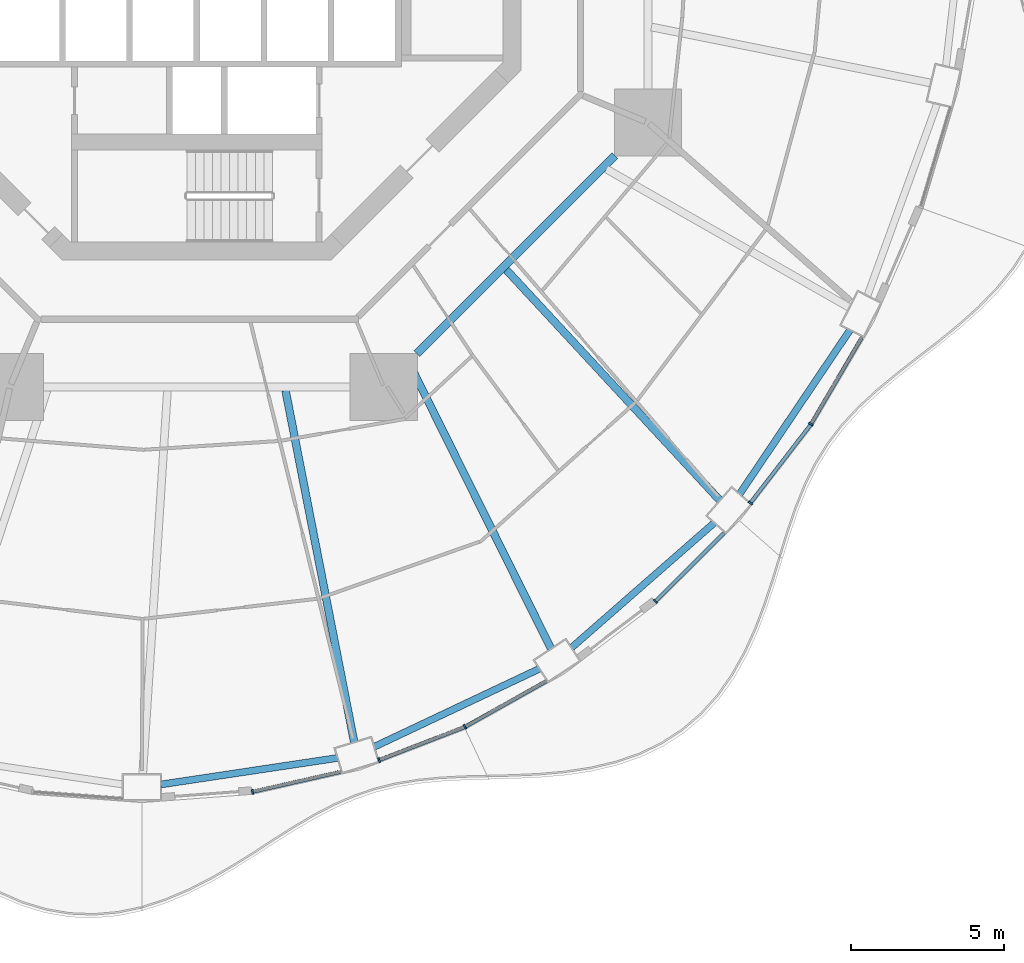
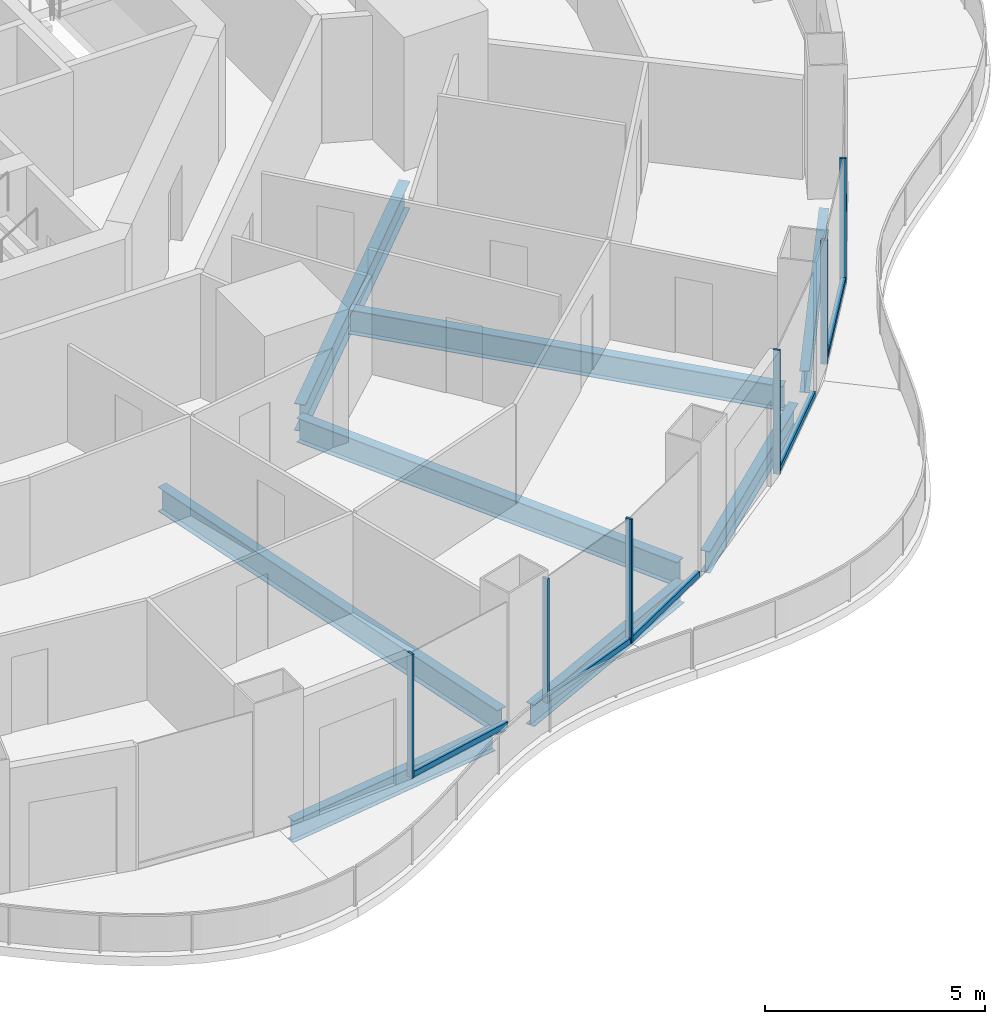
# One storey, part 5 of 22: 12 members, 8 beams, 6 elements without a shape of their own.
"""IFC4 building model written with IfcOpenShell, lengths in metres."""

import ifcopenshell
import ifcopenshell.guid

model = None  # the IFC model being written
_history = None  # IfcOwnerHistory: only IFC2X3 demands one
_inside = {}  # id of a spatial element -> (the spatial element, [elements in it])
_under = {}  # id of a project, library or spatial element -> (it, [spatial elements below it])
_declared = {}  # id of a project -> (the project, [libraries it declares])
_typed = {}  # id of a type object -> (the type object, [elements of that type])
_made_of = {}  # id of a material, layer set ... -> (it, [elements and type objects made of it])


def new_model(schema):
    """Start an empty IFC model of exactly this schema.

    Asked for "IFC4X3", IfcOpenShell would pick the latest addendum, in which some entities
    have other attributes; the version numbers below select the first issue.
    IFC2X3 requires an IfcOwnerHistory on every rooted entity: one is made here for all.
    """
    global model, _history
    if schema == "IFC4X3":
        model = ifcopenshell.file(schema_version=(4, 3, 0, 0))
    else:
        model = ifcopenshell.file(schema=schema)
    _inside.clear()
    _under.clear()
    _declared.clear()
    _typed.clear()
    _made_of.clear()
    _history = None
    if model.schema == "IFC2X3":
        org = make("IfcOrganization", Name="unknown")
        user = make(
            "IfcPersonAndOrganization",
            ThePerson=make("IfcPerson", FamilyName="unknown"),
            TheOrganization=org,
        )
        app = make(
            "IfcApplication",
            ApplicationDeveloper=org,
            Version="unknown",
            ApplicationFullName="unknown",
            ApplicationIdentifier="unknown",
        )
        _history = make(
            "IfcOwnerHistory",
            OwningUser=user,
            OwningApplication=app,
            ChangeAction="ADDED",
            CreationDate=0,
        )
    return model


def make(cls, **values):
    """One entity of the class cls with the attributes given. An attribute that is None is left unset."""
    return model.create_entity(
        cls, **{name: value for name, value in values.items() if value is not None}
    )


def rooted(cls, **values):
    """An entity with a GlobalId (a new one), such as an element, a storey or a relation."""
    return make(cls, GlobalId=ifcopenshell.guid.new(), OwnerHistory=_history, **values)


def si_unit(unit_type, name, prefix=None):
    """IfcSIUnit, for example si_unit("LENGTHUNIT", "METRE", prefix="MILLI")."""
    return make("IfcSIUnit", UnitType=unit_type, Prefix=prefix, Name=name)


def assignment(units):
    """IfcUnitAssignment: the units of a project."""
    return None if units is None else make("IfcUnitAssignment", Units=units)


def point(xyz):
    """IfcCartesianPoint."""
    return None if xyz is None else make("IfcCartesianPoint", Coordinates=xyz)


def direction(xyz):
    """IfcDirection."""
    return None if xyz is None else make("IfcDirection", DirectionRatios=xyz)


def frame(location, z_axis=None, x_axis=None):
    """IfcAxis2Placement3D, a coordinate frame: its origin and axes. An axis left out is left unset."""
    return make(
        "IfcAxis2Placement3D",
        Location=point(location),
        Axis=direction(z_axis),
        RefDirection=direction(x_axis),
    )


def frame_2d(location, x_axis=None):
    """IfcAxis2Placement2D, a coordinate frame in the plane: its origin and x axis."""
    return make(
        "IfcAxis2Placement2D", Location=point(location), RefDirection=direction(x_axis)
    )


def origin():
    """The frame at (0, 0, 0) with its axes left unset."""
    return frame((0.0, 0.0, 0.0))


def origin_2d():
    """The frame at (0, 0) in the plane with its x axis left unset."""
    return frame_2d((0.0, 0.0))


def place(relative_to, where):
    """IfcLocalPlacement: puts the frame where relative to a parent placement (None: the world)."""
    return make(
        "IfcLocalPlacement", PlacementRelTo=relative_to, RelativePlacement=where
    )


def context(
    kind, dimensions, precision=None, world=None, true_north=None, identifier=None
):
    """IfcGeometricRepresentationContext, for example the 3D "Model" context."""
    return make(
        "IfcGeometricRepresentationContext",
        ContextIdentifier=identifier,
        ContextType=kind,
        CoordinateSpaceDimension=dimensions,
        Precision=precision,
        WorldCoordinateSystem=world,
        TrueNorth=true_north,
    )


def subcontext(parent, identifier, kind, view, scale=None):
    """IfcGeometricRepresentationSubContext, for example "Body" below "Model"."""
    return make(
        "IfcGeometricRepresentationSubContext",
        ContextIdentifier=identifier,
        ContextType=kind,
        ParentContext=parent,
        TargetScale=scale,
        TargetView=view,
    )


def project(units=None, contexts=None):
    """IfcProject with its units and contexts."""
    return rooted(
        "IfcProject",
        Name="project",
        RepresentationContexts=contexts,
        UnitsInContext=assignment(units),
    )


def spatial(cls, under=None, at=None, **own):
    """A site, building, storey or space (cls), placed at a placement, below another one or the project."""
    s = rooted(cls, ObjectPlacement=at, **own)
    if under is not None:
        _under.setdefault(under.id(), (under, []))[1].append(s)
    return s


def profile(cls, at=None, kind="AREA", **sizes):
    """A parametric profile (cls). Its sizes go by their IFC names, for example OverallWidth=200.0."""
    return make(cls, ProfileType=kind, Position=at, **sizes)


def rectangle(**sizes):
    """IfcRectangleProfileDef."""
    return profile("IfcRectangleProfileDef", **sizes)


def i_section(**sizes):
    """IfcIShapeProfileDef."""
    return profile("IfcIShapeProfileDef", **sizes)


def extrude(swept, where, along, depth):
    """IfcExtrudedAreaSolid: the profile swept, set in the frame where, extruded along a direction by depth."""
    return make(
        "IfcExtrudedAreaSolid",
        SweptArea=swept,
        Position=where,
        ExtrudedDirection=direction(along),
        Depth=depth,
    )


def shape(context_of_items, identifier, shape_type, items):
    """IfcShapeRepresentation: the items that make up one representation, for example the "Body"."""
    return make(
        "IfcShapeRepresentation",
        ContextOfItems=context_of_items,
        RepresentationIdentifier=identifier,
        RepresentationType=shape_type,
        Items=items,
    )


def material(Name=None, Category=None):
    """IfcMaterial."""
    return make("IfcMaterial", Name=Name, Category=Category)


def layer(
    of_material, thickness, ventilated=None, Name=None, Category=None, Priority=None
):
    """IfcMaterialLayer: one layer of a wall or slab, of a material (None: an air gap)."""
    return make(
        "IfcMaterialLayer",
        Material=of_material,
        LayerThickness=thickness,
        IsVentilated=ventilated,
        Name=Name,
        Category=Category,
        Priority=Priority,
    )


def layer_set(layers, Name=None):
    """IfcMaterialLayerSet."""
    return make("IfcMaterialLayerSet", MaterialLayers=layers, LayerSetName=Name)


def material_profile(
    of_material, cross_section, Name=None, Category=None, Priority=None
):
    """IfcMaterialProfile: a cross section and its material."""
    return make(
        "IfcMaterialProfile",
        Name=Name,
        Material=of_material,
        Profile=cross_section,
        Priority=Priority,
        Category=Category,
    )


def profile_set(profiles, Name=None, composite=None):
    """IfcMaterialProfileSet."""
    return make(
        "IfcMaterialProfileSet",
        Name=Name,
        MaterialProfiles=profiles,
        CompositeProfile=composite,
    )


def made_of(thing, what):
    """Note that an element or type object is made of a material, layer set ...; save() writes the relation."""
    if what is not None:
        _made_of.setdefault(what.id(), (what, []))[1].append(thing)
    return thing


def type_object(cls, material=None, **own):
    """A type object (cls), such as IfcWallType, which elements share."""
    return made_of(rooted(cls, **own), material)


def element(
    cls,
    number,
    at=None,
    inside=None,
    cuts=None,
    type_object=None,
    material=None,
    context=None,
    identifier="Body",
    shape_type=None,
    held_by="IfcProductDefinitionShape",
    body=None,
    shapes=None,
    **own,
):
    """One element of the class cls, such as IfcWall. Its Tag is "e" and its number.

    at: its placement. inside: the storey or other place that contains it. cuts: it is an
    opening in that element (IfcRelVoidsElement). A single representation is given by context,
    identifier, shape_type and body (its items); several are given by shapes. held_by: the class
    of the entity that holds the representations. save() writes the other relations.
    """
    e = rooted(cls, Tag="e%d" % number, ObjectPlacement=at, **own)
    if body is not None:
        shapes = [shape(context, identifier, shape_type, body)]
    if shapes is not None:
        e.Representation = make(held_by, Representations=shapes)
    if inside is not None:
        _inside.setdefault(inside.id(), (inside, []))[1].append(e)
    if cuts is not None:
        rooted(
            "IfcRelVoidsElement", RelatingBuildingElement=cuts, RelatedOpeningElement=e
        )
    if type_object is not None:
        _typed.setdefault(type_object.id(), (type_object, []))[1].append(e)
    return made_of(e, material)


def aggregate(whole, parts):
    """IfcRelAggregates: a whole, such as a stair, and the parts it consists of."""
    return rooted("IfcRelAggregates", RelatingObject=whole, RelatedObjects=parts)


def save(model, path):
    """Write the relations noted so far, then the file.

    IfcRelAggregates (storeys below a building ...), IfcRelContainedInSpatialStructure (elements
    in a storey), IfcRelDefinesByType, IfcRelAssociatesMaterial and IfcRelDeclares: one each for
    every whole, place, type object, material and project.
    """
    for whole, parts in _under.values():
        aggregate(whole, parts)
    for where, things in _inside.values():
        rooted(
            "IfcRelContainedInSpatialStructure",
            RelatedElements=things,
            RelatingStructure=where,
        )
    for kind, things in _typed.values():
        rooted("IfcRelDefinesByType", RelatedObjects=things, RelatingType=kind)
    for what, things in _made_of.values():
        rooted("IfcRelAssociatesMaterial", RelatedObjects=things, RelatingMaterial=what)
    for by, libraries in _declared.values():
        rooted("IfcRelDeclares", RelatingContext=by, RelatedDefinitions=libraries)
    model.write(path)


model = new_model("IFC4")

# Units and contexts
model_context = context("Model", 3, precision=1e-05, world=origin(), true_north=direction((0.0, 1.0)))
body_context = subcontext(model_context, "Body", "Model", "MODEL_VIEW")
ifc_project = project(units=[si_unit("LENGTHUNIT", "METRE"), si_unit("AREAUNIT", "SQUARE_METRE"), si_unit("VOLUMEUNIT", "CUBIC_METRE"), si_unit("PLANEANGLEUNIT", "RADIAN"), si_unit("MASSUNIT", "GRAM", prefix="KILO")], contexts=[model_context])

# Site, building, storey
site_placement = place(None, origin())
site = spatial("IfcSite", under=ifc_project, at=site_placement, CompositionType="ELEMENT")
building_placement = place(site_placement, origin())
building = spatial("IfcBuilding", under=site, at=building_placement, Name="Nagisa Residences", CompositionType="ELEMENT")
storey_placement = place(building_placement, frame((0.0, 0.0, 99.199951171875)))
storey = spatial("IfcBuildingStorey", under=building, at=storey_placement, Name="L24", CompositionType="ELEMENT", Elevation=99.199951171875)

# Curtain wall, member
ifc_material_1 = material(Name="Concrete-coloured aluminium curtain wall system", Category="concrete")
ifc_layer = layer(ifc_material_1, 0.159912109375)
ifc_layer_set = layer_set([ifc_layer], Name="CW1 CURTAIN WALL")
curtain_wall_type = type_object("IfcCurtainWallType", Name="CW1 CURTAIN WALL", PredefinedType="NOTDEFINED", material=ifc_layer_set)
curtain_wall_1_placement = place(storey_placement, origin())
curtain_wall_1 = element("IfcCurtainWall", 1, at=curtain_wall_1_placement, inside=storey, type_object=curtain_wall_type, Name="cw:CW1:L24:37", PredefinedType="NOTDEFINED")
ifc_material_2 = material(Name="Concrete-coloured aluminium", Category="concrete")
ifc_material_profile_1 = material_profile(ifc_material_2, rectangle(XDim=0.159912109375, YDim=0.06005859375, at=origin_2d()), Name="CW1 MULLION 160x60")
ifc_profile_set_1 = profile_set([ifc_material_profile_1], Name="Concrete-coloured aluminium")
member_type_1 = type_object("IfcMemberType", Name="CW1 MULLION 160x60", PredefinedType="MULLION", material=ifc_profile_set_1)
member_1_placement = place(storey_placement, frame((1.826416015625, -28.04296875, 0.0), z_axis=(0.0, 0.0, 1.0), x_axis=(-0.2207639201, 0.975327274089, 0.0)))
member_1 = element("IfcMember", 2, at=member_1_placement, type_object=member_type_1, Name="CW1 mullion", PredefinedType="MULLION", context=body_context, shape_type="SweptSolid", body=[
    extrude(rectangle(XDim=0.159912109375, YDim=0.06005859375, at=origin_2d()), origin(), (0.0, 0.0, 1.0), 3.43994140625),
])

curtain_wall_2_placement = place(storey_placement, origin())
curtain_wall_2 = element("IfcCurtainWall", 3, at=curtain_wall_2_placement, inside=storey, type_object=curtain_wall_type, Name="cw:CW1:L24:38", PredefinedType="NOTDEFINED")
member_2_placement = place(storey_placement, frame((5.973388671875, -27.00390625, 0.0), z_axis=(0.0, 0.0, 1.0), x_axis=(-0.360327770268, 0.932825759707, 0.0)))
member_2 = element("IfcMember", 4, at=member_2_placement, type_object=member_type_1, Name="CW1 mullion", PredefinedType="MULLION", context=body_context, shape_type="SweptSolid", body=[
    extrude(rectangle(XDim=0.159912109375, YDim=0.06005859375, at=origin_2d()), origin(), (0.0, 0.0, 1.0), 3.43994140625),
])

curtain_wall_3_placement = place(storey_placement, origin())
curtain_wall_3 = element("IfcCurtainWall", 5, at=curtain_wall_3_placement, inside=storey, type_object=curtain_wall_type, Name="cw:CW1:L24:39", PredefinedType="NOTDEFINED")
member_3_placement = place(storey_placement, frame((8.785400390625, -25.913818359375, 0.0), z_axis=(0.0, 0.0, 1.0), x_axis=(-0.489376918501, 0.872072377523, 0.0)))
member_3 = element("IfcMember", 6, at=member_3_placement, type_object=member_type_1, Name="CW1 mullion", PredefinedType="MULLION", context=body_context, shape_type="SweptSolid", body=[
    extrude(rectangle(XDim=0.159912109375, YDim=0.06005859375, at=origin_2d()), origin(), (0.0, 0.0, 1.0), 3.43994140625),
])

curtain_wall_4_placement = place(storey_placement, origin())
curtain_wall_4 = element("IfcCurtainWall", 7, at=curtain_wall_4_placement, inside=storey, type_object=curtain_wall_type, Name="cw:CW1:L24:41", PredefinedType="NOTDEFINED")
member_4_placement = place(storey_placement, frame((15.0244140625, -21.80712890625, 0.0), z_axis=(0.0, 0.0, 1.0), x_axis=(-0.706376885714, 0.707835924016, 0.0)))
member_4 = element("IfcMember", 8, at=member_4_placement, type_object=member_type_1, Name="CW1 mullion", PredefinedType="MULLION", context=body_context, shape_type="SweptSolid", body=[
    extrude(rectangle(XDim=0.159912109375, YDim=0.06005859375, at=origin_2d()), origin(), (0.0, 0.0, 1.0), 3.43994140625),
])

curtain_wall_5_placement = place(storey_placement, origin())
curtain_wall_5 = element("IfcCurtainWall", 9, at=curtain_wall_5_placement, inside=storey, type_object=curtain_wall_type, Name="cw:CW1:L24:42", PredefinedType="NOTDEFINED")
member_5_placement = place(storey_placement, frame((18.135009765625, -18.579345703125, 0.0), z_axis=(0.0, 0.0, 1.0), x_axis=(-0.792070340816, 0.610429828235, 0.0)))
member_5 = element("IfcMember", 10, at=member_5_placement, type_object=member_type_1, Name="CW1 mullion", PredefinedType="MULLION", context=body_context, shape_type="SweptSolid", body=[
    extrude(rectangle(XDim=0.159912109375, YDim=0.06005859375, at=origin_2d()), origin(), (0.0, 0.0, 1.0), 3.43994140625),
])

curtain_wall_6_placement = place(storey_placement, origin())
curtain_wall_6 = element("IfcCurtainWall", 11, at=curtain_wall_6_placement, inside=storey, type_object=curtain_wall_type, Name="cw:CW1:L24:43", PredefinedType="NOTDEFINED")
member_6_placement = place(storey_placement, frame((20.1181640625, -16.0009765625, 0.0), z_axis=(0.0, 0.0, 1.0), x_axis=(-0.862328898214, 0.506348567002, 0.0)))
member_6 = element("IfcMember", 12, at=member_6_placement, type_object=member_type_1, Name="CW1 mullion", PredefinedType="MULLION", context=body_context, shape_type="SweptSolid", body=[
    extrude(rectangle(XDim=0.159912109375, YDim=0.06005859375, at=origin_2d()), origin(), (0.0, 0.0, 1.0), 3.43994140625),
])

# Member
ifc_material_3 = material(Name="Concrete-coloured aluminium", Category="concrete")
ifc_material_profile_2 = material_profile(ifc_material_3, rectangle(XDim=0.1201171875, YDim=0.14990234375, at=origin_2d()), Name="CW1 TRANSOM 120x150")
ifc_profile_set_2 = profile_set([ifc_material_profile_2], Name="Concrete-coloured aluminium")
member_type_2 = type_object("IfcMemberType", Name="CW1 TRANSOM 120x150", PredefinedType="USERDEFINED", material=ifc_profile_set_2)
member_7_placement = place(storey_placement, frame((1.79736328125, -28.049560546875, 0.074951171875), z_axis=(0.975331196789, 0.220746589036, 0.0), x_axis=(-0.220746589036, 0.975331196789, 0.0)))
member_7 = element("IfcMember", 13, at=member_7_placement, type_object=member_type_2, Name="CW1 transom", ObjectType="TRANSOM", PredefinedType="USERDEFINED", context=body_context, shape_type="SweptSolid", body=[
    extrude(rectangle(XDim=0.1201171875, YDim=0.14990234375, at=origin_2d()), origin(), (0.0, 0.0, 1.0), 2.99267578125),
])

aggregate(curtain_wall_1, [member_1, member_7])

member_8_placement = place(storey_placement, frame((5.945556640625, -27.0146484375, 0.074951171875), z_axis=(0.932827091302, 0.360324322982, 0.0), x_axis=(-0.360324322982, 0.932827091302, 0.0)))
member_8 = element("IfcMember", 14, at=member_8_placement, type_object=member_type_2, Name="CW1 transom", ObjectType="TRANSOM", PredefinedType="USERDEFINED", context=body_context, shape_type="SweptSolid", body=[
    extrude(rectangle(XDim=0.1201171875, YDim=0.14990234375, at=origin_2d()), origin(), (0.0, 0.0, 1.0), 3.02734375),
])

aggregate(curtain_wall_2, [member_2, member_8])

member_9_placement = place(storey_placement, frame((8.75927734375, -25.9287109375, 0.074951171875), z_axis=(0.872037280335, 0.489439456631, 0.0), x_axis=(-0.489439456631, 0.872037280335, 0.0)))
member_9 = element("IfcMember", 15, at=member_9_placement, type_object=member_type_2, Name="CW1 transom", ObjectType="TRANSOM", PredefinedType="USERDEFINED", context=body_context, shape_type="SweptSolid", body=[
    extrude(rectangle(XDim=0.1201171875, YDim=0.14990234375, at=origin_2d()), origin(), (0.0, 0.0, 1.0), 3.07568359375),
])

aggregate(curtain_wall_3, [member_3, member_9])

member_10_placement = place(storey_placement, frame((15.003173828125, -21.828125, 0.074951171875), z_axis=(0.707831724839, 0.70638109354, 0.0), x_axis=(-0.70638109354, 0.707831724839, 0.0)))
member_10 = element("IfcMember", 16, at=member_10_placement, type_object=member_type_2, Name="CW1 transom", ObjectType="TRANSOM", PredefinedType="USERDEFINED", context=body_context, shape_type="SweptSolid", body=[
    extrude(rectangle(XDim=0.1201171875, YDim=0.14990234375, at=origin_2d()), origin(), (0.0, 0.0, 1.0), 3.19775390625),
])

aggregate(curtain_wall_4, [member_4, member_10])

member_11_placement = place(storey_placement, frame((18.11669921875, -18.60302734375, 0.074951171875), z_axis=(0.610458970322, 0.792047880847, 0.0), x_axis=(-0.792047880847, 0.610458970322, 0.0)))
member_11 = element("IfcMember", 17, at=member_11_placement, type_object=member_type_2, Name="CW1 transom", ObjectType="TRANSOM", PredefinedType="USERDEFINED", context=body_context, shape_type="SweptSolid", body=[
    extrude(rectangle(XDim=0.1201171875, YDim=0.14990234375, at=origin_2d()), origin(), (0.0, 0.0, 1.0), 3.262939453125),
])

aggregate(curtain_wall_5, [member_5, member_11])

member_12_placement = place(storey_placement, frame((20.10302734375, -16.02685546875, 0.074951171875), z_axis=(0.506329983076, 0.86233981019, 0.0), x_axis=(-0.86233981019, 0.506329983076, 0.0)))
member_12 = element("IfcMember", 18, at=member_12_placement, type_object=member_type_2, Name="CW1 transom", ObjectType="TRANSOM", PredefinedType="USERDEFINED", context=body_context, shape_type="SweptSolid", body=[
    extrude(rectangle(XDim=0.1201171875, YDim=0.14990234375, at=origin_2d()), origin(), (0.0, 0.0, 1.0), 3.32470703125),
])

aggregate(curtain_wall_6, [member_6, member_12])

# Beams
ifc_material_4 = material(Name="Steel ASTM A572 Gr 50", Category="steel")
ifc_material_profile_3 = material_profile(ifc_material_4, i_section(OverallWidth=0.264892578125, OverallDepth=0.7529296875, WebThickness=0.01318359375, FlangeThickness=0.01708984375, at=origin_2d()), Name="W760x147")
ifc_profile_set_3 = profile_set([ifc_material_profile_3], Name="Steel ASTM A572 Gr 50")
beam_type_1 = type_object("IfcBeamType", Name="Inner ring beam W760x147", PredefinedType="BEAM", material=ifc_profile_set_3)
beam_1_placement = place(storey_placement, frame((7.208740234375, -13.6962890625, -0.636474609375), z_axis=(0.707106781187, 0.707106781187, 0.0), x_axis=(-0.707106781187, 0.707106781187, 0.0)))
element("IfcBeam", 19, at=beam_1_placement, inside=storey, type_object=beam_type_1, Name="beam:L24:ib7", PredefinedType="BEAM", context=body_context, shape_type="SweptSolid", body=[
    extrude(i_section(OverallWidth=0.264892578125, OverallDepth=0.7529296875, WebThickness=0.01318359375, FlangeThickness=0.01708984375, at=origin_2d()), origin(), (0.0, 0.0, 1.0), 9.1748046875),
])
ifc_material_5 = material(Name="Steel ASTM A572 Gr 50", Category="steel")
ifc_material_profile_4 = material_profile(ifc_material_5, i_section(OverallWidth=0.22802734375, OverallDepth=0.60302734375, WebThickness=0.010498046875, FlangeThickness=0.014892578125, at=origin_2d()), Name="W610x101")
ifc_profile_set_4 = profile_set([ifc_material_profile_4], Name="Steel ASTM A572 Gr 50")
beam_type_2 = type_object("IfcBeamType", Name="Perimeter ring beam W610x101", PredefinedType="BEAM", material=ifc_profile_set_4)
beam_2_placement = place(storey_placement, frame((-1.169677734375, -27.802734375, -0.5615234375), z_axis=(0.988913048607, 0.148495731568, 0.0), x_axis=(-0.148495731568, 0.988913048607, 0.0)))
element("IfcBeam", 20, at=beam_2_placement, inside=storey, type_object=beam_type_2, Name="beam:L24:pb19", PredefinedType="BEAM", context=body_context, shape_type="SweptSolid", body=[
    extrude(i_section(OverallWidth=0.22802734375, OverallDepth=0.60302734375, WebThickness=0.010498046875, FlangeThickness=0.014892578125, at=origin_2d()), origin(), (0.0, 0.0, 1.0), 5.843017578125),
])
beam_3_placement = place(storey_placement, frame((5.814453125, -26.568359375, -0.5615234375), z_axis=(0.904196975776, 0.427115709144, 0.0), x_axis=(-0.427115709144, 0.904196975776, 0.0)))
element("IfcBeam", 21, at=beam_3_placement, inside=storey, type_object=beam_type_2, Name="beam:L24:pb20", PredefinedType="BEAM", context=body_context, shape_type="SweptSolid", body=[
    extrude(i_section(OverallWidth=0.22802734375, OverallDepth=0.60302734375, WebThickness=0.010498046875, FlangeThickness=0.014892578125, at=origin_2d()), origin(), (0.0, 0.0, 1.0), 5.980712890625),
])
beam_4_placement = place(storey_placement, frame((12.2763671875, -23.322998046875, -0.5615234375), z_axis=(0.752525569707, 0.658563031863, 0.0), x_axis=(-0.658563031863, 0.752525569707, 0.0)))
element("IfcBeam", 22, at=beam_4_placement, inside=storey, type_object=beam_type_2, Name="beam:L24:pb21", PredefinedType="BEAM", context=body_context, shape_type="SweptSolid", body=[
    extrude(i_section(OverallWidth=0.22802734375, OverallDepth=0.60302734375, WebThickness=0.010498046875, FlangeThickness=0.014892578125, at=origin_2d()), origin(), (0.0, 0.0, 1.0), 6.21240234375),
])
beam_5_placement = place(storey_placement, frame((17.784423828125, -18.2861328125, -0.5615234375), z_axis=(0.558229575935, 0.829686531499, 0.0), x_axis=(-0.829686531499, 0.558229575935, 0.0)))
element("IfcBeam", 23, at=beam_5_placement, inside=storey, type_object=beam_type_2, Name="beam:L24:pb22", PredefinedType="BEAM", context=body_context, shape_type="SweptSolid", body=[
    extrude(i_section(OverallWidth=0.22802734375, OverallDepth=0.60302734375, WebThickness=0.010498046875, FlangeThickness=0.014892578125, at=origin_2d()), origin(), (0.0, 0.0, 1.0), 6.471923828125),
])
ifc_material_6 = material(Name="Steel ASTM A572 Gr 50", Category="steel")
ifc_material_profile_5 = material_profile(ifc_material_6, i_section(OverallWidth=0.2529296875, OverallDepth=0.677978515625, WebThickness=0.01171875, FlangeThickness=0.016357421875, at=origin_2d()), Name="W690x125")
ifc_profile_set_5 = profile_set([ifc_material_profile_5], Name="Steel ASTM A572 Gr 50")
beam_type_3 = type_object("IfcBeamType", Name="Radial beam W690x125", PredefinedType="BEAM", material=ifc_profile_set_5)
beam_6_placement = place(storey_placement, frame((5.15576171875, -26.416015625, -0.598876953125), z_axis=(-0.191554340045, 0.981482009417, 0.0), x_axis=(-0.981482009417, -0.191554340045, 0.0)))
element("IfcBeam", 24, at=beam_6_placement, inside=storey, type_object=beam_type_3, Name="beam:L24:rb20", PredefinedType="BEAM", context=body_context, shape_type="SweptSolid", body=[
    extrude(i_section(OverallWidth=0.2529296875, OverallDepth=0.677978515625, WebThickness=0.01171875, FlangeThickness=0.016357421875, at=origin_2d()), origin(), (0.0, 0.0, 1.0), 11.73828125),
])
beam_7_placement = place(storey_placement, frame((11.604736328125, -23.35400390625, -0.598876953125), z_axis=(-0.444988448889, 0.895536308787, 0.0), x_axis=(-0.895536308787, -0.444988448889, 0.0)))
element("IfcBeam", 25, at=beam_7_placement, inside=storey, type_object=beam_type_3, Name="beam:L24:rb21", PredefinedType="BEAM", context=body_context, shape_type="SweptSolid", body=[
    extrude(i_section(OverallWidth=0.2529296875, OverallDepth=0.677978515625, WebThickness=0.01171875, FlangeThickness=0.016357421875, at=origin_2d()), origin(), (0.0, 0.0, 1.0), 10.364013671875),
])
beam_8_placement = place(storey_placement, frame((17.135986328125, -18.49609375, -0.598876953125), z_axis=(-0.67961674612, 0.733567364591, 0.0), x_axis=(-0.733567364591, -0.67961674612, 0.0)))
element("IfcBeam", 26, at=beam_8_placement, inside=storey, type_object=beam_type_3, Name="beam:L24:rb22", PredefinedType="BEAM", context=body_context, shape_type="SweptSolid", body=[
    extrude(i_section(OverallWidth=0.2529296875, OverallDepth=0.677978515625, WebThickness=0.01171875, FlangeThickness=0.016357421875, at=origin_2d()), origin(), (0.0, 0.0, 1.0), 10.30859375),
])

save(model, "model.ifc")
